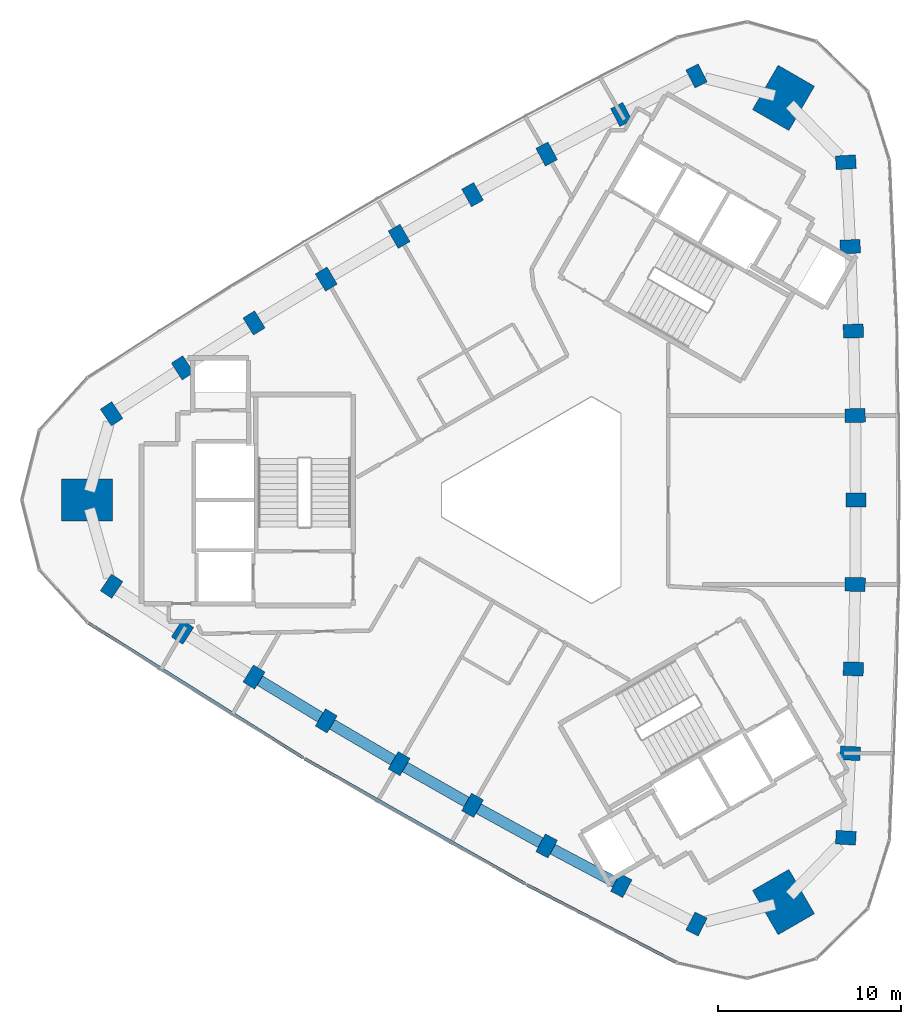
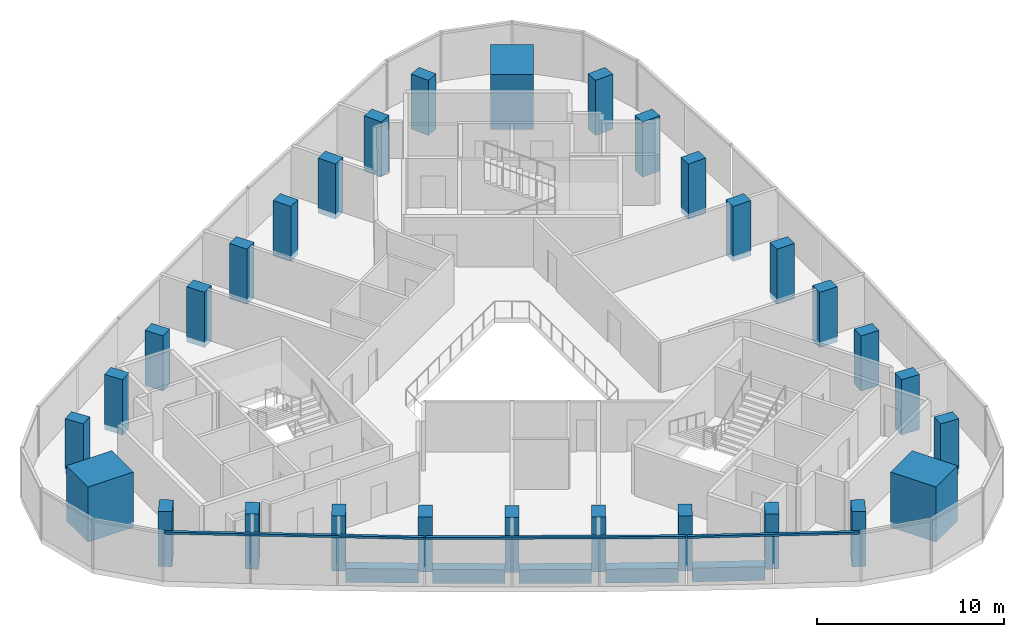
# One storey, part 1 of 11: 30 columns, 5 beams, 3 members, 1 element without a shape of its own.
"""IFC4 building model written with IfcOpenShell, lengths in metres."""

import ifcopenshell
import ifcopenshell.guid

model = None  # the IFC model being written
_history = None  # IfcOwnerHistory: only IFC2X3 demands one
_inside = {}  # id of a spatial element -> (the spatial element, [elements in it])
_under = {}  # id of a project, library or spatial element -> (it, [spatial elements below it])
_declared = {}  # id of a project -> (the project, [libraries it declares])
_typed = {}  # id of a type object -> (the type object, [elements of that type])
_made_of = {}  # id of a material, layer set ... -> (it, [elements and type objects made of it])


def new_model(schema):
    """Start an empty IFC model of exactly this schema.

    Asked for "IFC4X3", IfcOpenShell would pick the latest addendum, in which some entities
    have other attributes; the version numbers below select the first issue.
    IFC2X3 requires an IfcOwnerHistory on every rooted entity: one is made here for all.
    """
    global model, _history
    if schema == "IFC4X3":
        model = ifcopenshell.file(schema_version=(4, 3, 0, 0))
    else:
        model = ifcopenshell.file(schema=schema)
    _inside.clear()
    _under.clear()
    _declared.clear()
    _typed.clear()
    _made_of.clear()
    _history = None
    if model.schema == "IFC2X3":
        org = make("IfcOrganization", Name="unknown")
        user = make(
            "IfcPersonAndOrganization",
            ThePerson=make("IfcPerson", FamilyName="unknown"),
            TheOrganization=org,
        )
        app = make(
            "IfcApplication",
            ApplicationDeveloper=org,
            Version="unknown",
            ApplicationFullName="unknown",
            ApplicationIdentifier="unknown",
        )
        _history = make(
            "IfcOwnerHistory",
            OwningUser=user,
            OwningApplication=app,
            ChangeAction="ADDED",
            CreationDate=0,
        )
    return model


def make(cls, **values):
    """One entity of the class cls with the attributes given. An attribute that is None is left unset."""
    return model.create_entity(
        cls, **{name: value for name, value in values.items() if value is not None}
    )


def rooted(cls, **values):
    """An entity with a GlobalId (a new one), such as an element, a storey or a relation."""
    return make(cls, GlobalId=ifcopenshell.guid.new(), OwnerHistory=_history, **values)


def si_unit(unit_type, name, prefix=None):
    """IfcSIUnit, for example si_unit("LENGTHUNIT", "METRE", prefix="MILLI")."""
    return make("IfcSIUnit", UnitType=unit_type, Prefix=prefix, Name=name)


def assignment(units):
    """IfcUnitAssignment: the units of a project."""
    return None if units is None else make("IfcUnitAssignment", Units=units)


def point(xyz):
    """IfcCartesianPoint."""
    return None if xyz is None else make("IfcCartesianPoint", Coordinates=xyz)


def direction(xyz):
    """IfcDirection."""
    return None if xyz is None else make("IfcDirection", DirectionRatios=xyz)


def frame(location, z_axis=None, x_axis=None):
    """IfcAxis2Placement3D, a coordinate frame: its origin and axes. An axis left out is left unset."""
    return make(
        "IfcAxis2Placement3D",
        Location=point(location),
        Axis=direction(z_axis),
        RefDirection=direction(x_axis),
    )


def frame_2d(location, x_axis=None):
    """IfcAxis2Placement2D, a coordinate frame in the plane: its origin and x axis."""
    return make(
        "IfcAxis2Placement2D", Location=point(location), RefDirection=direction(x_axis)
    )


def origin():
    """The frame at (0, 0, 0) with its axes left unset."""
    return frame((0.0, 0.0, 0.0))


def origin_2d():
    """The frame at (0, 0) in the plane with its x axis left unset."""
    return frame_2d((0.0, 0.0))


def place(relative_to, where):
    """IfcLocalPlacement: puts the frame where relative to a parent placement (None: the world)."""
    return make(
        "IfcLocalPlacement", PlacementRelTo=relative_to, RelativePlacement=where
    )


def context(
    kind, dimensions, precision=None, world=None, true_north=None, identifier=None
):
    """IfcGeometricRepresentationContext, for example the 3D "Model" context."""
    return make(
        "IfcGeometricRepresentationContext",
        ContextIdentifier=identifier,
        ContextType=kind,
        CoordinateSpaceDimension=dimensions,
        Precision=precision,
        WorldCoordinateSystem=world,
        TrueNorth=true_north,
    )


def subcontext(parent, identifier, kind, view, scale=None):
    """IfcGeometricRepresentationSubContext, for example "Body" below "Model"."""
    return make(
        "IfcGeometricRepresentationSubContext",
        ContextIdentifier=identifier,
        ContextType=kind,
        ParentContext=parent,
        TargetScale=scale,
        TargetView=view,
    )


def project(units=None, contexts=None):
    """IfcProject with its units and contexts."""
    return rooted(
        "IfcProject",
        Name="project",
        RepresentationContexts=contexts,
        UnitsInContext=assignment(units),
    )


def spatial(cls, under=None, at=None, **own):
    """A site, building, storey or space (cls), placed at a placement, below another one or the project."""
    s = rooted(cls, ObjectPlacement=at, **own)
    if under is not None:
        _under.setdefault(under.id(), (under, []))[1].append(s)
    return s


def profile(cls, at=None, kind="AREA", **sizes):
    """A parametric profile (cls). Its sizes go by their IFC names, for example OverallWidth=200.0."""
    return make(cls, ProfileType=kind, Position=at, **sizes)


def rectangle(**sizes):
    """IfcRectangleProfileDef."""
    return profile("IfcRectangleProfileDef", **sizes)


def extrude(swept, where, along, depth):
    """IfcExtrudedAreaSolid: the profile swept, set in the frame where, extruded along a direction by depth."""
    return make(
        "IfcExtrudedAreaSolid",
        SweptArea=swept,
        Position=where,
        ExtrudedDirection=direction(along),
        Depth=depth,
    )


def shape(context_of_items, identifier, shape_type, items):
    """IfcShapeRepresentation: the items that make up one representation, for example the "Body"."""
    return make(
        "IfcShapeRepresentation",
        ContextOfItems=context_of_items,
        RepresentationIdentifier=identifier,
        RepresentationType=shape_type,
        Items=items,
    )


def material(Name=None, Category=None):
    """IfcMaterial."""
    return make("IfcMaterial", Name=Name, Category=Category)


def material_profile(
    of_material, cross_section, Name=None, Category=None, Priority=None
):
    """IfcMaterialProfile: a cross section and its material."""
    return make(
        "IfcMaterialProfile",
        Name=Name,
        Material=of_material,
        Profile=cross_section,
        Priority=Priority,
        Category=Category,
    )


def profile_set(profiles, Name=None, composite=None):
    """IfcMaterialProfileSet."""
    return make(
        "IfcMaterialProfileSet",
        Name=Name,
        MaterialProfiles=profiles,
        CompositeProfile=composite,
    )


def made_of(thing, what):
    """Note that an element or type object is made of a material, layer set ...; save() writes the relation."""
    if what is not None:
        _made_of.setdefault(what.id(), (what, []))[1].append(thing)
    return thing


def type_object(cls, material=None, **own):
    """A type object (cls), such as IfcWallType, which elements share."""
    return made_of(rooted(cls, **own), material)


def element(
    cls,
    number,
    at=None,
    inside=None,
    cuts=None,
    type_object=None,
    material=None,
    context=None,
    identifier="Body",
    shape_type=None,
    held_by="IfcProductDefinitionShape",
    body=None,
    shapes=None,
    **own,
):
    """One element of the class cls, such as IfcWall. Its Tag is "e" and its number.

    at: its placement. inside: the storey or other place that contains it. cuts: it is an
    opening in that element (IfcRelVoidsElement). A single representation is given by context,
    identifier, shape_type and body (its items); several are given by shapes. held_by: the class
    of the entity that holds the representations. save() writes the other relations.
    """
    e = rooted(cls, Tag="e%d" % number, ObjectPlacement=at, **own)
    if body is not None:
        shapes = [shape(context, identifier, shape_type, body)]
    if shapes is not None:
        e.Representation = make(held_by, Representations=shapes)
    if inside is not None:
        _inside.setdefault(inside.id(), (inside, []))[1].append(e)
    if cuts is not None:
        rooted(
            "IfcRelVoidsElement", RelatingBuildingElement=cuts, RelatedOpeningElement=e
        )
    if type_object is not None:
        _typed.setdefault(type_object.id(), (type_object, []))[1].append(e)
    return made_of(e, material)


def aggregate(whole, parts):
    """IfcRelAggregates: a whole, such as a stair, and the parts it consists of."""
    return rooted("IfcRelAggregates", RelatingObject=whole, RelatedObjects=parts)


def save(model, path):
    """Write the relations noted so far, then the file.

    IfcRelAggregates (storeys below a building ...), IfcRelContainedInSpatialStructure (elements
    in a storey), IfcRelDefinesByType, IfcRelAssociatesMaterial and IfcRelDeclares: one each for
    every whole, place, type object, material and project.
    """
    for whole, parts in _under.values():
        aggregate(whole, parts)
    for where, things in _inside.values():
        rooted(
            "IfcRelContainedInSpatialStructure",
            RelatedElements=things,
            RelatingStructure=where,
        )
    for kind, things in _typed.values():
        rooted("IfcRelDefinesByType", RelatedObjects=things, RelatingType=kind)
    for what, things in _made_of.values():
        rooted("IfcRelAssociatesMaterial", RelatedObjects=things, RelatingMaterial=what)
    for by, libraries in _declared.values():
        rooted("IfcRelDeclares", RelatingContext=by, RelatedDefinitions=libraries)
    model.write(path)


model = new_model("IFC4")

# Units and contexts
model_context = context("Model", 3, precision=1e-05, world=origin(), true_north=direction((0.0, 1.0)))
body_context = subcontext(model_context, "Body", "Model", "MODEL_VIEW")
ifc_project = project(units=[si_unit("LENGTHUNIT", "METRE"), si_unit("AREAUNIT", "SQUARE_METRE"), si_unit("VOLUMEUNIT", "CUBIC_METRE"), si_unit("PLANEANGLEUNIT", "RADIAN"), si_unit("MASSUNIT", "GRAM", prefix="KILO")], contexts=[model_context])

# Site, building, storey
site_placement = place(None, origin())
site = spatial("IfcSite", under=ifc_project, at=site_placement, CompositionType="ELEMENT")
building_placement = place(site_placement, origin())
building = spatial("IfcBuilding", under=site, at=building_placement, Name="Tamra Quay Hotel Tower", CompositionType="ELEMENT")
storey_placement = place(building_placement, frame((0.0, 0.0, 246.60009765625)))
storey = spatial("IfcBuildingStorey", under=building, at=storey_placement, Name="L62", CompositionType="ELEMENT", Elevation=246.60009765625)

# Columns
ifc_material_1 = material(Name="Concrete M70", Category="concrete")
ifc_material_profile_1 = material_profile(ifc_material_1, rectangle(XDim=1.10009765625, YDim=0.75, at=origin_2d()), Name="COLUMN RC 750x1100 Z5")
ifc_profile_set_1 = profile_set([ifc_material_profile_1], Name="Concrete M70")
column_type_1 = type_object("IfcColumnType", Name="COLUMN RC 750x1100 Z5", PredefinedType="COLUMN", material=ifc_profile_set_1)
for number, where, z_axis, x_axis, name in (
    (1, (16.12548828125, -18.490966796875, -0.35009765625), (0.0, 0.0, 1.0), (-0.998292120165, 0.05841954139, 0.0), "COL-C5E01-L62"),
    (2, (16.36328125, -13.87158203125, -0.35009765625), (0.0, 0.0, 1.0), (-0.999033395056, 0.043957656467, 0.0), "COL-C5E02-L62"),
    (3, (16.533203125, -9.24951171875, -0.35009765625), (0.0, 0.0, 1.0), (-0.999578606696, 0.029027728727, 0.0), "COL-C5E03-L62"),
    (4, (16.63525390625, -4.625, -0.35009765625), (0.0, 0.0, 1.0), (-0.999888113, 0.014958659101, 0.0), "COL-C5E04-L62"),
    (5, (16.66943359375, 0.0, -0.35009765625), (0.0, 0.0, 1.0), (1.0, 0.0, 0.0), "COL-C5E05-L62"),
    (6, (16.63525390625, 4.625, -0.35009765625), (0.0, 0.0, 1.0), (0.999888113, 0.014958659101, 0.0), "COL-C5E06-L62"),
    (7, (16.533203125, 9.24951171875, -0.35009765625), (0.0, 0.0, 1.0), (0.999578606696, 0.029027728727, 0.0), "COL-C5E07-L62"),
    (8, (16.36328125, 13.87158203125, -0.35009765625), (0.0, 0.0, 1.0), (0.999033395056, 0.043957656467, 0.0), "COL-C5E08-L62"),
    (9, (16.12548828125, 18.490966796875, -0.35009765625), (0.0, 0.0, 1.0), (0.998292120165, 0.05841954139, 0.0), "COL-C5E09-L62"),
    (10, (7.950927734375, 23.210693359375, -0.35009765625), (0.0, 0.0, 1.0), (-0.448553253162, 0.893756107156, 0.0), "COL-C5NW01-L62"),
    (11, (3.83154296875, 21.10693359375, -0.35009765625), (0.0, 0.0, 1.0), (-0.461448250337, 0.887167127581, 0.0), "COL-C5NW02-L62"),
    (12, (-0.25634765625, 18.943115234375, -0.35009765625), (0.0, 0.0, 1.0), (-0.474650552857, 0.880174330842, 0.0), "COL-C5NW03-L62"),
    (13, (-4.312255859375, 16.718994140625, -0.35009765625), (0.0, 0.0, 1.0), (-0.486989477712, 0.87340783635, 0.0), "COL-C5NW04-L62"),
    (14, (-8.334716796875, 14.43603515625, -0.35009765625), (0.0, 0.0, 1.0), (-0.5, 0.866025403784, 0.0), "COL-C5NW05-L62"),
    (15, (-12.322998046875, 12.093994140625, -0.35009765625), (0.0, 0.0, 1.0), (-0.512898635288, 0.858449177249, 0.0), "COL-C5NW06-L62"),
    (16, (-16.277099609375, 9.693359375, -0.35009765625), (0.0, 0.0, 1.0), (-0.52492805384, 0.851146602115, 0.0), "COL-C5NW07-L62"),
    (17, (-20.19482421875, 7.235107421875, -0.35009765625), (0.0, 0.0, 1.0), (-0.537585144719, 0.843209471114, 0.0), "COL-C5NW08-L62"),
    (18, (-24.076416015625, 4.7197265625, -0.35009765625), (0.0, 0.0, 1.0), (-0.549738867003, 0.835336565766, 0.0), "COL-C5NW09-L62"),
    (19, (-24.076416015625, -4.7197265625, -0.35009765625), (0.0, 0.0, 1.0), (0.549738867003, 0.835336565766, 0.0), "COL-C5SW01-L62"),
    (20, (-20.19482421875, -7.235107421875, -0.35009765625), (0.0, 0.0, 1.0), (0.537585144719, 0.843209471114, 0.0), "COL-C5SW02-L62"),
    (21, (-16.277099609375, -9.693359375, -0.35009765625), (0.0, 0.0, 1.0), (0.52492805384, 0.851146602115, 0.0), "COL-C5SW03-L62"),
    (22, (-12.322998046875, -12.093994140625, -0.35009765625), (0.0, 0.0, 1.0), (0.512898635288, 0.858449177249, 0.0), "COL-C5SW04-L62"),
    (23, (-8.334716796875, -14.43603515625, -0.35009765625), (0.0, 0.0, 1.0), (0.5, 0.866025403784, 0.0), "COL-C5SW05-L62"),
    (24, (-4.312255859375, -16.718994140625, -0.35009765625), (0.0, 0.0, 1.0), (0.486989477712, 0.87340783635, 0.0), "COL-C5SW06-L62"),
    (25, (-0.25634765625, -18.943115234375, -0.35009765625), (0.0, 0.0, 1.0), (0.474650552857, 0.880174330842, 0.0), "COL-C5SW07-L62"),
    (26, (3.83154296875, -21.10693359375, -0.35009765625), (0.0, 0.0, 1.0), (0.461448250337, 0.887167127581, 0.0), "COL-C5SW08-L62"),
    (27, (7.950927734375, -23.210693359375, -0.35009765625), (0.0, 0.0, 1.0), (0.448553253162, 0.893756107156, 0.0), "COL-C5SW09-L62"),
):
    element("IfcColumn", number, at=place(storey_placement, frame(where, z_axis=z_axis, x_axis=x_axis)), inside=storey, type_object=column_type_1, Name=name, PredefinedType="COLUMN", context=body_context, shape_type="SweptSolid", body=[
        extrude(rectangle(XDim=1.10009765625, YDim=0.75, at=origin_2d()), origin(), (0.0, 0.0, 1.0), 3.60009765625),
    ])
ifc_material_profile_2 = material_profile(ifc_material_1, rectangle(XDim=2.800048828125, YDim=2.300048828125, at=origin_2d()), Name="MEGA COLUMN RC 2300x2800 Z5")
ifc_profile_set_2 = profile_set([ifc_material_profile_2], Name="Concrete M70")
column_type_2 = type_object("IfcColumnType", Name="MEGA COLUMN RC 2300x2800 Z5", PredefinedType="COLUMN", material=ifc_profile_set_2)
for number, where, z_axis, x_axis, name in (
    (28, (12.710205078125, 22.0146484375, -0.35009765625), (0.0, 0.0, 1.0), (0.5, 0.866025403784, 0.0), "COL-M5NE-L62"),
    (29, (-25.42041015625, 0.0, -0.35009765625), (0.0, 0.0, 1.0), (1.0, 0.0, 0.0), "COL-M5W-L62"),
    (30, (12.710205078125, -22.0146484375, -0.35009765625), (0.0, 0.0, 1.0), (-0.5, 0.866025403784, 0.0), "COL-M5SE-L62"),
):
    element("IfcColumn", number, at=place(storey_placement, frame(where, z_axis=z_axis, x_axis=x_axis)), inside=storey, type_object=column_type_2, Name=name, PredefinedType="COLUMN", context=body_context, shape_type="SweptSolid", body=[
        extrude(rectangle(XDim=2.800048828125, YDim=2.300048828125, at=origin_2d()), origin(), (0.0, 0.0, 1.0), 3.60009765625),
    ])

# Beams
ifc_material_2 = material(Name="Concrete M60", Category="concrete")
ifc_material_profile_3 = material_profile(ifc_material_2, rectangle(XDim=0.60009765625, YDim=0.89990234375, at=origin_2d()), Name="SPANDREL BEAM RC 600x900")
ifc_profile_set_3 = profile_set([ifc_material_profile_3], Name="Concrete M60")
beam_type = type_object("IfcBeamType", Name="SPANDREL BEAM RC 600x900", PredefinedType="SPANDREL", material=ifc_profile_set_3)
beam_1_placement = place(storey_placement, frame((-15.95654296875, -9.887939453125, -0.800048828125), z_axis=(0.854785519234, -0.518981421737, 0.0), x_axis=(0.518981421737, 0.854785519234, 0.0)))
element("IfcBeam", 31, at=beam_1_placement, inside=storey, type_object=beam_type, Name="BM-SP5-022-L62", PredefinedType="SPANDREL", context=body_context, shape_type="SweptSolid", body=[
    extrude(rectangle(XDim=0.60009765625, YDim=0.89990234375, at=origin_2d()), origin(), (0.0, 0.0, 1.0), 3.875732421875),
])
beam_2_placement = place(storey_placement, frame((-11.999755859375, -12.283935546875, -0.800048828125), z_axis=(0.862324287816, -0.506356418585, 0.0), x_axis=(0.506356418585, 0.862324287816, 0.0)))
element("IfcBeam", 32, at=beam_2_placement, inside=storey, type_object=beam_type, Name="BM-SP5-023-L62", PredefinedType="SPANDREL", context=body_context, shape_type="SweptSolid", body=[
    extrude(rectangle(XDim=0.60009765625, YDim=0.89990234375, at=origin_2d()), origin(), (0.0, 0.0, 1.0), 3.875),
])
beam_3_placement = place(storey_placement, frame((-8.008544921875, -14.62109375, -0.800048828125), z_axis=(0.86967787455, -0.493619686113, 0.0), x_axis=(0.493619686113, 0.86967787455, 0.0)))
element("IfcBeam", 33, at=beam_3_placement, inside=storey, type_object=beam_type, Name="BM-SP5-024-L62", PredefinedType="SPANDREL", context=body_context, shape_type="SweptSolid", body=[
    extrude(rectangle(XDim=0.60009765625, YDim=0.89990234375, at=origin_2d()), origin(), (0.0, 0.0, 1.0), 3.875244140625),
])
beam_4_placement = place(storey_placement, frame((-3.9833984375, -16.8994140625, -0.800048828125), z_axis=(0.876838966376, -0.480784179279, 0.0), x_axis=(0.480784179279, 0.876838966376, 0.0)))
element("IfcBeam", 34, at=beam_4_placement, inside=storey, type_object=beam_type, Name="BM-SP5-025-L62", PredefinedType="SPANDREL", context=body_context, shape_type="SweptSolid", body=[
    extrude(rectangle(XDim=0.60009765625, YDim=0.89990234375, at=origin_2d()), origin(), (0.0, 0.0, 1.0), 3.87548828125),
])
beam_5_placement = place(storey_placement, frame((0.0751953125, -19.118408203125, -0.800048828125), z_axis=(0.883803240878, -0.467858772937, 0.0), x_axis=(0.467858772937, 0.883803240878, 0.0)))
element("IfcBeam", 35, at=beam_5_placement, inside=storey, type_object=beam_type, Name="BM-SP5-026-L62", PredefinedType="SPANDREL", context=body_context, shape_type="SweptSolid", body=[
    extrude(rectangle(XDim=0.60009765625, YDim=0.89990234375, at=origin_2d()), origin(), (0.0, 0.0, 1.0), 3.875),
])

# Curtain wall, members
ifc_material_3 = material(Name="Aluminium 6063 anodised dark grey", Category="aluminium")
curtain_wall_type = type_object("IfcCurtainWallType", Name="CW3 CURTAIN WALL", PredefinedType="NOTDEFINED", material=ifc_material_3)
curtain_wall_placement = place(storey_placement, origin())
curtain_wall = element("IfcCurtainWall", 36, at=curtain_wall_placement, inside=storey, type_object=curtain_wall_type, Name="CW3 south-west face L62", PredefinedType="NOTDEFINED")
ifc_material_profile_4 = material_profile(ifc_material_3, rectangle(XDim=0.169921875, YDim=0.139892578125, at=origin_2d()), Name="TRANSOM 170X140")
ifc_profile_set_4 = profile_set([ifc_material_profile_4], Name="Aluminium 6063 anodised dark grey")
member_type = type_object("IfcMemberType", Name="TRANSOM CW3 Z5", PredefinedType="USERDEFINED", material=ifc_profile_set_4)
member_1_placement = place(storey_placement, frame((-25.345947265625, -6.73974609375, 3.179931640625), z_axis=(0.847071037392, -0.531479686923, 0.0), x_axis=(0.531479686923, 0.847071037392, 0.0)))
member_1 = element("IfcMember", 37, at=member_1_placement, type_object=member_type, Name="CW3 transom L62.SW.1", ObjectType="TRANSOM", PredefinedType="USERDEFINED", context=body_context, shape_type="SweptSolid", body=[
    extrude(rectangle(XDim=0.169921875, YDim=0.139892578125, at=origin_2d()), origin(), (0.0, 0.0, 1.0), 13.879150390625),
])
member_2_placement = place(storey_placement, frame((-13.503662109375, -14.16748046875, 3.179931640625), z_axis=(0.869680201003, -0.493615587257, 0.0), x_axis=(0.493615587257, 0.869680201003, 0.0)))
member_2 = element("IfcMember", 38, at=member_2_placement, type_object=member_type, Name="CW3 transom L62.SW.4", ObjectType="TRANSOM", PredefinedType="USERDEFINED", context=body_context, shape_type="SweptSolid", body=[
    extrude(rectangle(XDim=0.169921875, YDim=0.139892578125, at=origin_2d()), origin(), (0.0, 0.0, 1.0), 13.8798828125),
])
member_3_placement = place(storey_placement, frame((-1.344482421875, -21.06640625, 3.179931640625), z_axis=(0.887229373017, -0.461328559332, 0.0), x_axis=(0.461328559332, 0.887229373017, 0.0)))
member_3 = element("IfcMember", 39, at=member_3_placement, type_object=member_type, Name="CW3 transom L62.SW.7", ObjectType="TRANSOM", PredefinedType="USERDEFINED", context=body_context, shape_type="SweptSolid", body=[
    extrude(rectangle(XDim=0.169921875, YDim=0.139892578125, at=origin_2d()), origin(), (0.0, 0.0, 1.0), 9.220458984375),
])
aggregate(curtain_wall, [member_1, member_2, member_3])

save(model, "model.ifc")
